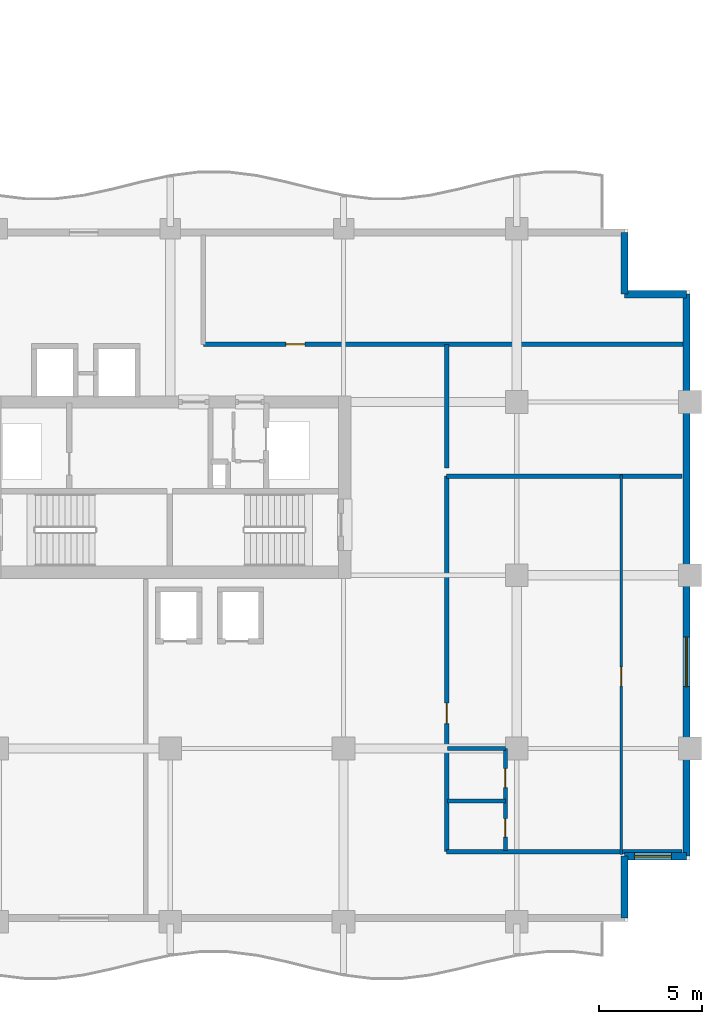
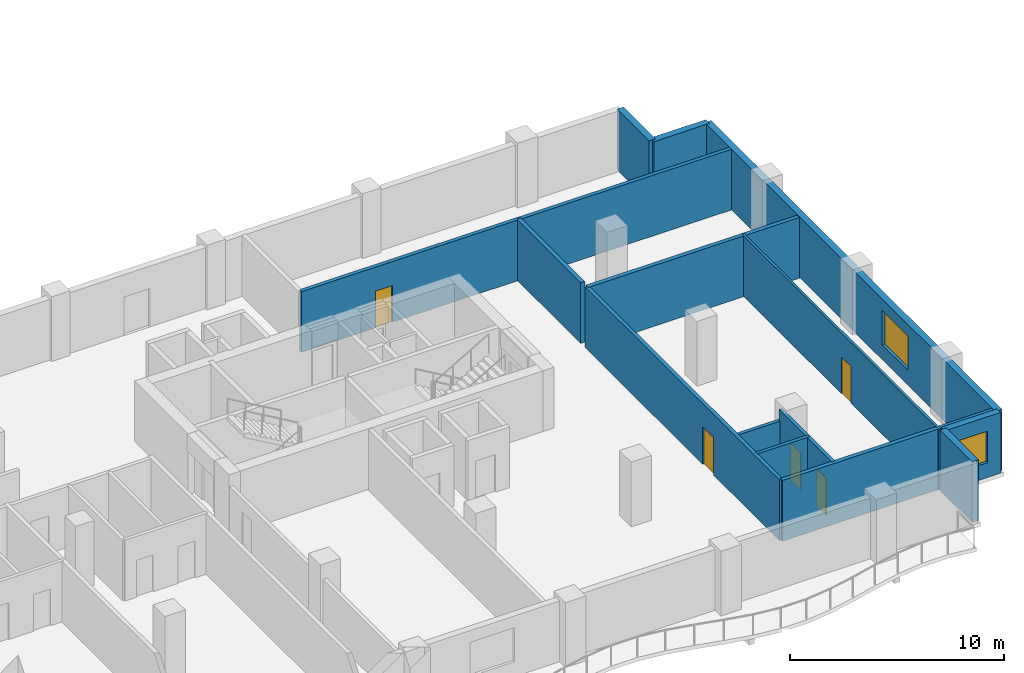
# One storey, part 8 of 14: 14 walls, 5 doors, 2 windows, 7 openings.
"""IFC4 building model written with IfcOpenShell, lengths in metres."""

import ifcopenshell
import ifcopenshell.guid

model = None  # the IFC model being written
_history = None  # IfcOwnerHistory: only IFC2X3 demands one
_inside = {}  # id of a spatial element -> (the spatial element, [elements in it])
_under = {}  # id of a project, library or spatial element -> (it, [spatial elements below it])
_declared = {}  # id of a project -> (the project, [libraries it declares])
_typed = {}  # id of a type object -> (the type object, [elements of that type])
_made_of = {}  # id of a material, layer set ... -> (it, [elements and type objects made of it])


def new_model(schema):
    """Start an empty IFC model of exactly this schema.

    Asked for "IFC4X3", IfcOpenShell would pick the latest addendum, in which some entities
    have other attributes; the version numbers below select the first issue.
    IFC2X3 requires an IfcOwnerHistory on every rooted entity: one is made here for all.
    """
    global model, _history
    if schema == "IFC4X3":
        model = ifcopenshell.file(schema_version=(4, 3, 0, 0))
    else:
        model = ifcopenshell.file(schema=schema)
    _inside.clear()
    _under.clear()
    _declared.clear()
    _typed.clear()
    _made_of.clear()
    _history = None
    if model.schema == "IFC2X3":
        org = make("IfcOrganization", Name="unknown")
        user = make(
            "IfcPersonAndOrganization",
            ThePerson=make("IfcPerson", FamilyName="unknown"),
            TheOrganization=org,
        )
        app = make(
            "IfcApplication",
            ApplicationDeveloper=org,
            Version="unknown",
            ApplicationFullName="unknown",
            ApplicationIdentifier="unknown",
        )
        _history = make(
            "IfcOwnerHistory",
            OwningUser=user,
            OwningApplication=app,
            ChangeAction="ADDED",
            CreationDate=0,
        )
    return model


def make(cls, **values):
    """One entity of the class cls with the attributes given. An attribute that is None is left unset."""
    return model.create_entity(
        cls, **{name: value for name, value in values.items() if value is not None}
    )


def rooted(cls, **values):
    """An entity with a GlobalId (a new one), such as an element, a storey or a relation."""
    return make(cls, GlobalId=ifcopenshell.guid.new(), OwnerHistory=_history, **values)


def si_unit(unit_type, name, prefix=None):
    """IfcSIUnit, for example si_unit("LENGTHUNIT", "METRE", prefix="MILLI")."""
    return make("IfcSIUnit", UnitType=unit_type, Prefix=prefix, Name=name)


def assignment(units):
    """IfcUnitAssignment: the units of a project."""
    return None if units is None else make("IfcUnitAssignment", Units=units)


def point(xyz):
    """IfcCartesianPoint."""
    return None if xyz is None else make("IfcCartesianPoint", Coordinates=xyz)


def direction(xyz):
    """IfcDirection."""
    return None if xyz is None else make("IfcDirection", DirectionRatios=xyz)


def frame(location, z_axis=None, x_axis=None):
    """IfcAxis2Placement3D, a coordinate frame: its origin and axes. An axis left out is left unset."""
    return make(
        "IfcAxis2Placement3D",
        Location=point(location),
        Axis=direction(z_axis),
        RefDirection=direction(x_axis),
    )


def frame_2d(location, x_axis=None):
    """IfcAxis2Placement2D, a coordinate frame in the plane: its origin and x axis."""
    return make(
        "IfcAxis2Placement2D", Location=point(location), RefDirection=direction(x_axis)
    )


def origin():
    """The frame at (0, 0, 0) with its axes left unset."""
    return frame((0.0, 0.0, 0.0))


def place(relative_to, where):
    """IfcLocalPlacement: puts the frame where relative to a parent placement (None: the world)."""
    return make(
        "IfcLocalPlacement", PlacementRelTo=relative_to, RelativePlacement=where
    )


def context(
    kind, dimensions, precision=None, world=None, true_north=None, identifier=None
):
    """IfcGeometricRepresentationContext, for example the 3D "Model" context."""
    return make(
        "IfcGeometricRepresentationContext",
        ContextIdentifier=identifier,
        ContextType=kind,
        CoordinateSpaceDimension=dimensions,
        Precision=precision,
        WorldCoordinateSystem=world,
        TrueNorth=true_north,
    )


def subcontext(parent, identifier, kind, view, scale=None):
    """IfcGeometricRepresentationSubContext, for example "Body" below "Model"."""
    return make(
        "IfcGeometricRepresentationSubContext",
        ContextIdentifier=identifier,
        ContextType=kind,
        ParentContext=parent,
        TargetScale=scale,
        TargetView=view,
    )


def project(units=None, contexts=None):
    """IfcProject with its units and contexts."""
    return rooted(
        "IfcProject",
        Name="project",
        RepresentationContexts=contexts,
        UnitsInContext=assignment(units),
    )


def spatial(cls, under=None, at=None, **own):
    """A site, building, storey or space (cls), placed at a placement, below another one or the project."""
    s = rooted(cls, ObjectPlacement=at, **own)
    if under is not None:
        _under.setdefault(under.id(), (under, []))[1].append(s)
    return s


def profile(cls, at=None, kind="AREA", **sizes):
    """A parametric profile (cls). Its sizes go by their IFC names, for example OverallWidth=200.0."""
    return make(cls, ProfileType=kind, Position=at, **sizes)


def rectangle(**sizes):
    """IfcRectangleProfileDef."""
    return profile("IfcRectangleProfileDef", **sizes)


def extrude(swept, where, along, depth):
    """IfcExtrudedAreaSolid: the profile swept, set in the frame where, extruded along a direction by depth."""
    return make(
        "IfcExtrudedAreaSolid",
        SweptArea=swept,
        Position=where,
        ExtrudedDirection=direction(along),
        Depth=depth,
    )


def shape(context_of_items, identifier, shape_type, items):
    """IfcShapeRepresentation: the items that make up one representation, for example the "Body"."""
    return make(
        "IfcShapeRepresentation",
        ContextOfItems=context_of_items,
        RepresentationIdentifier=identifier,
        RepresentationType=shape_type,
        Items=items,
    )


def material(Name=None, Category=None):
    """IfcMaterial."""
    return make("IfcMaterial", Name=Name, Category=Category)


def layer(
    of_material, thickness, ventilated=None, Name=None, Category=None, Priority=None
):
    """IfcMaterialLayer: one layer of a wall or slab, of a material (None: an air gap)."""
    return make(
        "IfcMaterialLayer",
        Material=of_material,
        LayerThickness=thickness,
        IsVentilated=ventilated,
        Name=Name,
        Category=Category,
        Priority=Priority,
    )


def layer_set(layers, Name=None):
    """IfcMaterialLayerSet."""
    return make("IfcMaterialLayerSet", MaterialLayers=layers, LayerSetName=Name)


def made_of(thing, what):
    """Note that an element or type object is made of a material, layer set ...; save() writes the relation."""
    if what is not None:
        _made_of.setdefault(what.id(), (what, []))[1].append(thing)
    return thing


def type_object(cls, material=None, **own):
    """A type object (cls), such as IfcWallType, which elements share."""
    return made_of(rooted(cls, **own), material)


def element(
    cls,
    number,
    at=None,
    inside=None,
    cuts=None,
    type_object=None,
    material=None,
    context=None,
    identifier="Body",
    shape_type=None,
    held_by="IfcProductDefinitionShape",
    body=None,
    shapes=None,
    **own,
):
    """One element of the class cls, such as IfcWall. Its Tag is "e" and its number.

    at: its placement. inside: the storey or other place that contains it. cuts: it is an
    opening in that element (IfcRelVoidsElement). A single representation is given by context,
    identifier, shape_type and body (its items); several are given by shapes. held_by: the class
    of the entity that holds the representations. save() writes the other relations.
    """
    e = rooted(cls, Tag="e%d" % number, ObjectPlacement=at, **own)
    if body is not None:
        shapes = [shape(context, identifier, shape_type, body)]
    if shapes is not None:
        e.Representation = make(held_by, Representations=shapes)
    if inside is not None:
        _inside.setdefault(inside.id(), (inside, []))[1].append(e)
    if cuts is not None:
        rooted(
            "IfcRelVoidsElement", RelatingBuildingElement=cuts, RelatedOpeningElement=e
        )
    if type_object is not None:
        _typed.setdefault(type_object.id(), (type_object, []))[1].append(e)
    return made_of(e, material)


def fill(opening, filler):
    """IfcRelFillsElement: the door or window that sits in an opening."""
    return rooted(
        "IfcRelFillsElement",
        RelatingOpeningElement=opening,
        RelatedBuildingElement=filler,
    )


def aggregate(whole, parts):
    """IfcRelAggregates: a whole, such as a stair, and the parts it consists of."""
    return rooted("IfcRelAggregates", RelatingObject=whole, RelatedObjects=parts)


def save(model, path):
    """Write the relations noted so far, then the file.

    IfcRelAggregates (storeys below a building ...), IfcRelContainedInSpatialStructure (elements
    in a storey), IfcRelDefinesByType, IfcRelAssociatesMaterial and IfcRelDeclares: one each for
    every whole, place, type object, material and project.
    """
    for whole, parts in _under.values():
        aggregate(whole, parts)
    for where, things in _inside.values():
        rooted(
            "IfcRelContainedInSpatialStructure",
            RelatedElements=things,
            RelatingStructure=where,
        )
    for kind, things in _typed.values():
        rooted("IfcRelDefinesByType", RelatedObjects=things, RelatingType=kind)
    for what, things in _made_of.values():
        rooted("IfcRelAssociatesMaterial", RelatedObjects=things, RelatingMaterial=what)
    for by, libraries in _declared.values():
        rooted("IfcRelDeclares", RelatingContext=by, RelatedDefinitions=libraries)
    model.write(path)


model = new_model("IFC4")

# Units and contexts
model_context = context("Model", 3, precision=1e-05, world=origin(), true_north=direction((0.0, 1.0)))
body_context = subcontext(model_context, "Body", "Model", "MODEL_VIEW")
ifc_project = project(units=[si_unit("LENGTHUNIT", "METRE"), si_unit("AREAUNIT", "SQUARE_METRE"), si_unit("VOLUMEUNIT", "CUBIC_METRE"), si_unit("PLANEANGLEUNIT", "RADIAN"), si_unit("MASSUNIT", "GRAM", prefix="KILO")], contexts=[model_context])

# Site, building, storey
site_placement = place(None, origin())
site = spatial("IfcSite", under=ifc_project, at=site_placement, CompositionType="ELEMENT")
building_placement = place(site_placement, origin())
building = spatial("IfcBuilding", under=site, at=building_placement, Name="Koriwani Terraces Tower", CompositionType="ELEMENT")
storey_placement = place(building_placement, frame((0.0, 0.0, 201.300048828125)))
storey = spatial("IfcBuildingStorey", under=building, at=storey_placement, Name="L49", CompositionType="ELEMENT", Elevation=201.300048828125)

# Wall, opening, door
ifc_material_1 = material(Name="Autoclaved Cellular Concrete Blockwork", Category="masonry")
ifc_layer_1 = layer(ifc_material_1, 0.199951171875, Name="Autoclaved Cellular Concrete Blockwork")
ifc_layer_set_1 = layer_set([ifc_layer_1], Name="Autoclaved Cellular Concrete Blockwork")
wall_type_1 = type_object("IfcWallType", Name="WALL_CORRIDOR_200", PredefinedType="PARTITIONING", material=ifc_layer_set_1)
wall_1_placement = place(storey_placement, frame((63.800048828125, 3.39990234375, 0.0), z_axis=(0.0, 0.0, 1.0), x_axis=(0.0, 1.0, 0.0)))
wall_1 = element("IfcWall", 1, at=wall_1_placement, inside=storey, type_object=wall_type_1, Name="L49 Interior Wall WGB-L49-SETIP-W", PredefinedType="PARTITIONING", context=body_context, shape_type="SweptSolid", body=[
    extrude(rectangle(XDim=18.2001953125, YDim=0.199951171875, at=frame_2d((9.10009765625, 0.0))), origin(), (0.0, 0.0, 1.0), 3.469970703125),
])
opening_1_placement = place(wall_1_placement, frame((6.199951171875, 0.0, 0.0)))
opening_1 = element("IfcOpeningElement", 2, at=opening_1_placement, cuts=wall_1, Name="Opening D-05", PredefinedType="OPENING", context=body_context, shape_type="SweptSolid", body=[
    extrude(rectangle(XDim=1.0, YDim=2.14990234375, at=frame_2d((0.5, 1.074951171875))), frame((0.0, 0.10986328125, 0.0), z_axis=(0.0, -1.0, 0.0), x_axis=(1.0, 0.0, 0.0)), (0.0, 0.0, 1.0), 0.219970703125),
])
ifc_material_2 = material(Name="Architectural Oak Fire Door", Category="wood")
door_type_1 = type_object("IfcDoorType", Name="DOOR_SUITE_ENTRY_1000X2150", OperationType="NOTDEFINED", PredefinedType="DOOR", material=ifc_material_2)
door_1_placement = place(opening_1_placement, origin())
door_1 = element("IfcDoor", 3, at=door_1_placement, inside=storey, type_object=door_type_1, Name="Grand Apartment 49ET Entrance Door", OperationType="SINGLE_SWING_LEFT", OverallHeight=2.14990234375, OverallWidth=1.0, PredefinedType="DOOR", context=body_context, shape_type="SweptSolid", body=[
    extrude(rectangle(XDim=1.0, YDim=2.14990234375, at=frame_2d((0.5, 1.074951171875))), frame((0.0, 0.02490234375, 0.0), z_axis=(0.0, -1.0, 0.0), x_axis=(1.0, 0.0, 0.0)), (0.0, 0.0, 1.0), 0.050048828125),
])
fill(opening_1, door_1)

wall_2_placement = place(storey_placement, frame((52.0, 28.0, 0.0), z_axis=(0.0, 0.0, 1.0), x_axis=(1.0, 0.0, 0.0)))
wall_2 = element("IfcWall", 4, at=wall_2_placement, inside=storey, type_object=wall_type_1, Name="L49 Interior Wall WSET2-S-L49", PredefinedType="PARTITIONING", context=body_context, shape_type="SweptSolid", body=[
    extrude(rectangle(XDim=23.25, YDim=0.199951171875, at=frame_2d((11.625, 0.0))), origin(), (0.0, 0.0, 1.0), 3.469970703125),
])
opening_2_placement = place(wall_2_placement, frame((4.0, 0.0, 0.0)))
opening_2 = element("IfcOpeningElement", 5, at=opening_2_placement, cuts=wall_2, Name="Opening D-06", PredefinedType="OPENING", context=body_context, shape_type="SweptSolid", body=[
    extrude(rectangle(XDim=0.919921875, YDim=2.10009765625, at=frame_2d((0.4599609375, 1.050048828125))), frame((0.0, 0.10986328125, 0.0), z_axis=(0.0, -1.0, 0.0), x_axis=(1.0, 0.0, 0.0)), (0.0, 0.0, 1.0), 0.219970703125),
])
door_type_2 = type_object("IfcDoorType", Name="DOOR_ROOM_INT_920X2100", OperationType="NOTDEFINED", PredefinedType="DOOR", material=ifc_material_2)
door_2_placement = place(opening_2_placement, origin())
door_2 = element("IfcDoor", 6, at=door_2_placement, inside=storey, type_object=door_type_2, Name="L49 East Court Salon Door", OperationType="SINGLE_SWING_LEFT", OverallHeight=2.10009765625, OverallWidth=0.919921875, PredefinedType="DOOR", context=body_context, shape_type="SweptSolid", body=[
    extrude(rectangle(XDim=0.919921875, YDim=2.10009765625, at=frame_2d((0.4599609375, 1.050048828125))), frame((0.0, 0.02490234375, 0.0), z_axis=(0.0, -1.0, 0.0), x_axis=(1.0, 0.0, 0.0)), (0.0, 0.0, 1.0), 0.050048828125),
])
fill(opening_2, door_2)

# Walls
ifc_layer_2 = layer(ifc_material_1, 0.219970703125, Name="Autoclaved Cellular Concrete Blockwork")
ifc_layer_set_2 = layer_set([ifc_layer_2], Name="Autoclaved Cellular Concrete Blockwork")
wall_type_2 = type_object("IfcWallType", Name="WALL_DEMISING_220", PredefinedType="PARTITIONING", material=ifc_layer_set_2)
for number, where, z_axis, x_axis, name in (
    (7, (63.800048828125, 3.39990234375, 0.0), (0.0, 0.0, 1.0), (1.0, 0.0, 0.0), "L49 Interior Wall WGB-L49-SETIP-S"),
    (8, (63.800048828125, 21.60009765625, 0.0), (0.0, 0.0, 1.0), (1.0, 0.0, 0.0), "L49 Interior Wall WGB-L49-SETIP-N"),
):
    element("IfcWall", number, at=place(storey_placement, frame(where, z_axis=z_axis, x_axis=x_axis)), inside=storey, type_object=wall_type_2, Name=name, PredefinedType="PARTITIONING", context=body_context, shape_type="SweptSolid", body=[
        extrude(rectangle(XDim=11.419921875, YDim=0.219970703125, at=frame_2d((5.7099609375, 0.0))), origin(), (0.0, 0.0, 1.0), 3.469970703125),
    ])
wall_3_placement = place(storey_placement, frame((63.800048828125, 22.0, 0.0), z_axis=(0.0, 0.0, 1.0), x_axis=(0.0, 1.0, 0.0)))
element("IfcWall", 9, at=wall_3_placement, inside=storey, type_object=wall_type_2, Name="L49 Interior Wall WSET2-SW-L49", PredefinedType="PARTITIONING", context=body_context, shape_type="SweptSolid", body=[
    extrude(rectangle(XDim=6.0, YDim=0.219970703125, at=frame_2d((3.0, 0.0))), origin(), (0.0, 0.0, 1.0), 3.469970703125),
])
ifc_material_3 = material(Name="Concrete C50/60", Category="concrete")
ifc_layer_3 = layer(ifc_material_3, 0.35009765625, Name="Concrete C50/60")
ifc_layer_set_3 = layer_set([ifc_layer_3], Name="Concrete C50/60")
wall_type_3 = type_object("IfcWallType", Name="WALL_EXT_BRUTALIST_350", PredefinedType="STANDARD", material=ifc_layer_set_3)
for number, where, z_axis, x_axis, name in (
    (10, (72.425048828125, 33.425048828125, 0.0), (0.0, 0.0, 1.0), (0.0, -1.0, 0.0), "L49 Fair-Faced Brutalist Exterior Wall (N10)"),
    (11, (72.425048828125, 30.425048828125, 0.0), (0.0, 0.0, 1.0), (1.0, 0.0, 0.0), "L49 Fair-Faced Brutalist Exterior Wall (N11)"),
):
    element("IfcWall", number, at=place(storey_placement, frame(where, z_axis=z_axis, x_axis=x_axis)), inside=storey, type_object=wall_type_3, Name=name, PredefinedType="STANDARD", context=body_context, shape_type="SweptSolid", body=[
        extrude(rectangle(XDim=3.0, YDim=0.35009765625, at=frame_2d((1.5, 0.0))), origin(), (0.0, 0.0, 1.0), 3.469970703125),
    ])

# Wall, opening, window
wall_4_placement = place(storey_placement, frame((75.425048828125, 30.425048828125, 0.0), z_axis=(0.0, 0.0, 1.0), x_axis=(0.0, -1.0, 0.0)))
wall_4 = element("IfcWall", 12, at=wall_4_placement, inside=storey, type_object=wall_type_3, Name="L49 Fair-Faced Brutalist Exterior Wall (E_TIP)", PredefinedType="STANDARD", context=body_context, shape_type="SweptSolid", body=[
    extrude(rectangle(XDim=27.25, YDim=0.35009765625, at=frame_2d((13.625, 0.0))), origin(), (0.0, 0.0, 1.0), 3.469970703125),
])
opening_3_placement = place(wall_4_placement, frame((16.625, 0.0, 0.85009765625)))
opening_3 = element("IfcOpeningElement", 13, at=opening_3_placement, cuts=wall_4, Name="Opening W-03", PredefinedType="OPENING", context=body_context, shape_type="SweptSolid", body=[
    extrude(rectangle(XDim=2.39990234375, YDim=1.949951171875, at=frame_2d((1.199951171875, 0.97509765625))), frame((0.0, 0.18505859375, 0.0), z_axis=(0.0, -1.0, 0.0), x_axis=(1.0, 0.0, 0.0)), (0.0, 0.0, 1.0), 0.3701171875),
])
ifc_material_4 = material(Name="Tempered Laminated Low-E Glass", Category="glass")
window_type_1 = type_object("IfcWindowType", Name="WIN_RES_LIVING_2400X1950", PartitioningType="DOUBLE_PANEL_VERTICAL", PredefinedType="WINDOW", material=ifc_material_4)
window_1_placement = place(opening_3_placement, origin())
window_1 = element("IfcWindow", 14, at=window_1_placement, inside=storey, type_object=window_type_1, Name="L49 Exterior Window (E_TIP-3)", OverallHeight=1.949951171875, OverallWidth=2.39990234375, PartitioningType="SINGLE_PANEL", PredefinedType="WINDOW", context=body_context, shape_type="SweptSolid", body=[
    extrude(rectangle(XDim=2.39990234375, YDim=1.949951171875, at=frame_2d((1.199951171875, 0.97509765625))), frame((0.0, 0.030029296875, 0.0), z_axis=(0.0, -1.0, 0.0), x_axis=(1.0, 0.0, 0.0)), (0.0, 0.0, 1.0), 0.06005859375),
])
fill(opening_3, window_1)

wall_5_placement = place(storey_placement, frame((75.425048828125, 3.175048828125, 0.0), z_axis=(0.0, 0.0, 1.0), x_axis=(-1.0, 0.0, 0.0)))
wall_5 = element("IfcWall", 15, at=wall_5_placement, inside=storey, type_object=wall_type_3, Name="L49 Fair-Faced Brutalist Exterior Wall (N13)", PredefinedType="STANDARD", context=body_context, shape_type="SweptSolid", body=[
    extrude(rectangle(XDim=3.0, YDim=0.35009765625, at=frame_2d((1.5, 0.0))), origin(), (0.0, 0.0, 1.0), 3.469970703125),
])
opening_4_placement = place(wall_5_placement, frame((0.7275390625, 0.0, 0.85009765625)))
opening_4 = element("IfcOpeningElement", 16, at=opening_4_placement, cuts=wall_5, Name="Opening W-04", PredefinedType="OPENING", context=body_context, shape_type="SweptSolid", body=[
    extrude(rectangle(XDim=1.800048828125, YDim=1.800048828125, at=frame_2d((0.89990234375, 0.89990234375))), frame((0.0, 0.18505859375, 0.0), z_axis=(0.0, -1.0, 0.0), x_axis=(1.0, 0.0, 0.0)), (0.0, 0.0, 1.0), 0.3701171875),
])
window_type_2 = type_object("IfcWindowType", Name="WIN_RES_BED_1800X1800", PartitioningType="DOUBLE_PANEL_VERTICAL", PredefinedType="WINDOW", material=ifc_material_4)
window_2_placement = place(opening_4_placement, origin())
window_2 = element("IfcWindow", 17, at=window_2_placement, inside=storey, type_object=window_type_2, Name="L49 Exterior Window (N13-R55)", OverallHeight=1.800048828125, OverallWidth=1.800048828125, PartitioningType="SINGLE_PANEL", PredefinedType="WINDOW", context=body_context, shape_type="SweptSolid", body=[
    extrude(rectangle(XDim=1.800048828125, YDim=1.800048828125, at=frame_2d((0.89990234375, 0.89990234375))), frame((0.0, 0.030029296875, 0.0), z_axis=(0.0, -1.0, 0.0), x_axis=(1.0, 0.0, 0.0)), (0.0, 0.0, 1.0), 0.06005859375),
])
fill(opening_4, window_2)

# Wall
wall_6_placement = place(storey_placement, frame((72.425048828125, 3.175048828125, 0.0), z_axis=(0.0, 0.0, 1.0), x_axis=(0.0, -1.0, 0.0)))
element("IfcWall", 18, at=wall_6_placement, inside=storey, type_object=wall_type_3, Name="L49 Fair-Faced Brutalist Exterior Wall (N14)", PredefinedType="STANDARD", context=body_context, shape_type="SweptSolid", body=[
    extrude(rectangle(XDim=3.0, YDim=0.35009765625, at=frame_2d((1.5, 0.0))), origin(), (0.0, 0.0, 1.0), 3.469970703125),
])

# Wall, opening, door
ifc_material_5 = material(Name="Fire-Rated Acoustic Gypsum Partition", Category="masonry")
ifc_layer_4 = layer(ifc_material_5, 0.125, Name="Fire-Rated Acoustic Gypsum Partition")
ifc_layer_set_4 = layer_set([ifc_layer_4], Name="Fire-Rated Acoustic Gypsum Partition")
wall_type_4 = type_object("IfcWallType", Name="WALL_INT_125", PredefinedType="PARTITIONING", material=ifc_layer_set_4)
wall_7_placement = place(storey_placement, frame((72.27001953125, 3.25, 0.0), z_axis=(0.0, 0.0, 1.0), x_axis=(0.0, 1.0, 0.0)))
wall_7 = element("IfcWall", 19, at=wall_7_placement, inside=storey, type_object=wall_type_4, Name="L49 Interior Wall WGB-L49-SETIP-BD", PredefinedType="PARTITIONING", context=body_context, shape_type="SweptSolid", body=[
    extrude(rectangle(XDim=18.39990234375, YDim=0.125, at=frame_2d((9.199951171875, 0.0))), origin(), (0.0, 0.0, 1.0), 3.469970703125),
])
opening_5_placement = place(wall_7_placement, frame((8.18994140625, 0.0, 0.0)))
opening_5 = element("IfcOpeningElement", 20, at=opening_5_placement, cuts=wall_7, Name="Opening D-06", PredefinedType="OPENING", context=body_context, shape_type="SweptSolid", body=[
    extrude(rectangle(XDim=0.919921875, YDim=2.10009765625, at=frame_2d((0.4599609375, 1.050048828125))), frame((0.0, 0.072509765625, 0.0), z_axis=(0.0, -1.0, 0.0), x_axis=(1.0, 0.0, 0.0)), (0.0, 0.0, 1.0), 0.14501953125),
])
door_3_placement = place(opening_5_placement, origin())
door_3 = element("IfcDoor", 21, at=door_3_placement, inside=storey, type_object=door_type_2, Name="Grand Apartment 49ET Master Suite Door", OperationType="SINGLE_SWING_RIGHT", OverallHeight=2.10009765625, OverallWidth=0.919921875, PredefinedType="DOOR", context=body_context, shape_type="SweptSolid", body=[
    extrude(rectangle(XDim=0.919921875, YDim=2.10009765625, at=frame_2d((0.4599609375, 1.050048828125))), frame((0.0, 0.02490234375, 0.0), z_axis=(0.0, -1.0, 0.0), x_axis=(1.0, 0.0, 0.0)), (0.0, 0.0, 1.0), 0.050048828125),
])
fill(opening_5, door_3)

# Wall, openings, doors
ifc_layer_5 = layer(ifc_material_5, 0.179931640625, Name="Fire-Rated Acoustic Gypsum Partition")
ifc_layer_set_5 = layer_set([ifc_layer_5], Name="Fire-Rated Acoustic Gypsum Partition")
wall_type_5 = type_object("IfcWallType", Name="WALL_PLUMBING_180", PredefinedType="PLUMBINGWALL", material=ifc_layer_set_5)
wall_8_placement = place(storey_placement, frame((66.64990234375, 3.449951171875, 0.0), z_axis=(0.0, 0.0, 1.0), x_axis=(0.0, 1.0, 0.0)))
wall_8 = element("IfcWall", 22, at=wall_8_placement, inside=storey, type_object=wall_type_5, Name="L49 Interior Wall WGB-L49-SETIP-SVB", PredefinedType="PLUMBINGWALL", context=body_context, shape_type="SweptSolid", body=[
    extrude(rectangle(XDim=4.949951171875, YDim=0.179931640625, at=frame_2d((2.47509765625, 0.0))), origin(), (0.0, 0.0, 1.0), 3.469970703125),
])
opening_6_placement = place(wall_8_placement, frame((0.64990234375, 0.0, 0.0)))
opening_6 = element("IfcOpeningElement", 23, at=opening_6_placement, cuts=wall_8, Name="Opening D-07", PredefinedType="OPENING", context=body_context, shape_type="SweptSolid", body=[
    extrude(rectangle(XDim=0.89990234375, YDim=2.10009765625, at=frame_2d((0.449951171875, 1.050048828125))), frame((0.0, 0.10009765625, 0.0), z_axis=(0.0, -1.0, 0.0), x_axis=(1.0, 0.0, 0.0)), (0.0, 0.0, 1.0), 0.199951171875),
])
opening_7_placement = place(wall_8_placement, frame((3.050048828125, 0.0, 0.0)))
opening_7 = element("IfcOpeningElement", 24, at=opening_7_placement, cuts=wall_8, Name="Opening D-06", PredefinedType="OPENING", context=body_context, shape_type="SweptSolid", body=[
    extrude(rectangle(XDim=0.919921875, YDim=2.10009765625, at=frame_2d((0.4599609375, 1.050048828125))), frame((0.0, 0.10009765625, 0.0), z_axis=(0.0, -1.0, 0.0), x_axis=(1.0, 0.0, 0.0)), (0.0, 0.0, 1.0), 0.199951171875),
])
door_type_3 = type_object("IfcDoorType", Name="DOOR_BATH_INT_900X2100", OperationType="NOTDEFINED", PredefinedType="DOOR", material=ifc_material_2)
door_4_placement = place(opening_6_placement, origin())
door_4 = element("IfcDoor", 25, at=door_4_placement, inside=storey, type_object=door_type_3, Name="Grand Apartment 49ET Bathroom Door", OperationType="SINGLE_SWING_RIGHT", OverallHeight=2.10009765625, OverallWidth=0.89990234375, PredefinedType="DOOR", context=body_context, shape_type="SweptSolid", body=[
    extrude(rectangle(XDim=0.89990234375, YDim=2.10009765625, at=frame_2d((0.449951171875, 1.050048828125))), frame((0.0, 0.02490234375, 0.0), z_axis=(0.0, -1.0, 0.0), x_axis=(1.0, 0.0, 0.0)), (0.0, 0.0, 1.0), 0.050048828125),
])
fill(opening_6, door_4)
door_5_placement = place(opening_7_placement, origin())
door_5 = element("IfcDoor", 26, at=door_5_placement, inside=storey, type_object=door_type_2, Name="Grand Apartment 49ET Kitchen Door", OperationType="SINGLE_SWING_LEFT", OverallHeight=2.10009765625, OverallWidth=0.919921875, PredefinedType="DOOR", context=body_context, shape_type="SweptSolid", body=[
    extrude(rectangle(XDim=0.919921875, YDim=2.10009765625, at=frame_2d((0.4599609375, 1.050048828125))), frame((0.0, 0.02490234375, 0.0), z_axis=(0.0, -1.0, 0.0), x_axis=(1.0, 0.0, 0.0)), (0.0, 0.0, 1.0), 0.050048828125),
])
fill(opening_7, door_5)

# Walls
wall_9_placement = place(storey_placement, frame((63.85009765625, 5.85009765625, 0.0), z_axis=(0.0, 0.0, 1.0), x_axis=(1.0, 0.0, 0.0)))
element("IfcWall", 27, at=wall_9_placement, inside=storey, type_object=wall_type_5, Name="L49 Interior Wall WGB-L49-SETIP-SVM", PredefinedType="PLUMBINGWALL", context=body_context, shape_type="SweptSolid", body=[
    extrude(rectangle(XDim=2.7998046875, YDim=0.179931640625, at=frame_2d((1.39990234375, 0.0))), origin(), (0.0, 0.0, 1.0), 3.469970703125),
])
wall_10_placement = place(storey_placement, frame((63.85009765625, 8.39990234375, 0.0), z_axis=(0.0, 0.0, 1.0), x_axis=(1.0, 0.0, 0.0)))
element("IfcWall", 28, at=wall_10_placement, inside=storey, type_object=wall_type_5, Name="L49 Interior Wall WGB-L49-SETIP-SV2", PredefinedType="PLUMBINGWALL", context=body_context, shape_type="SweptSolid", body=[
    extrude(rectangle(XDim=2.7998046875, YDim=0.179931640625, at=frame_2d((1.39990234375, 0.0))), origin(), (0.0, 0.0, 1.0), 2.85302734375),
])

save(model, "model.ifc")
